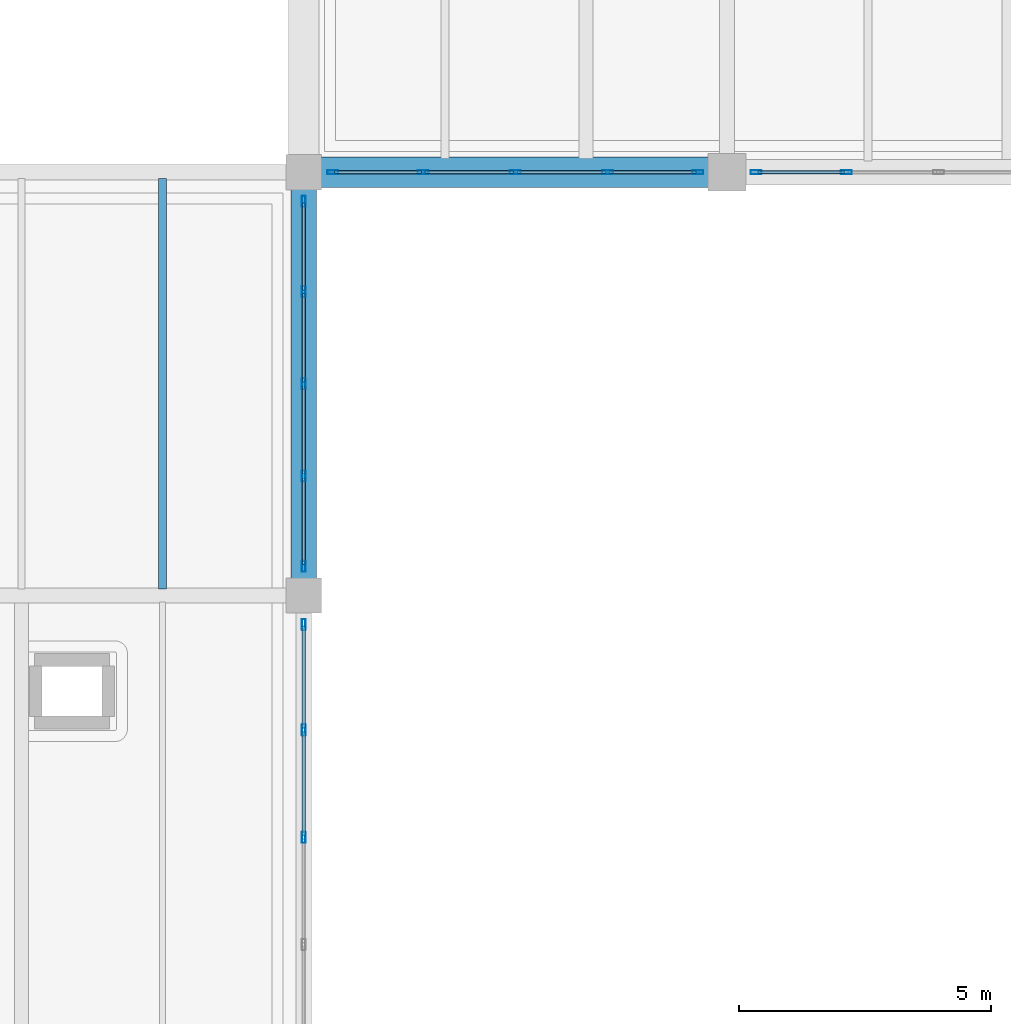
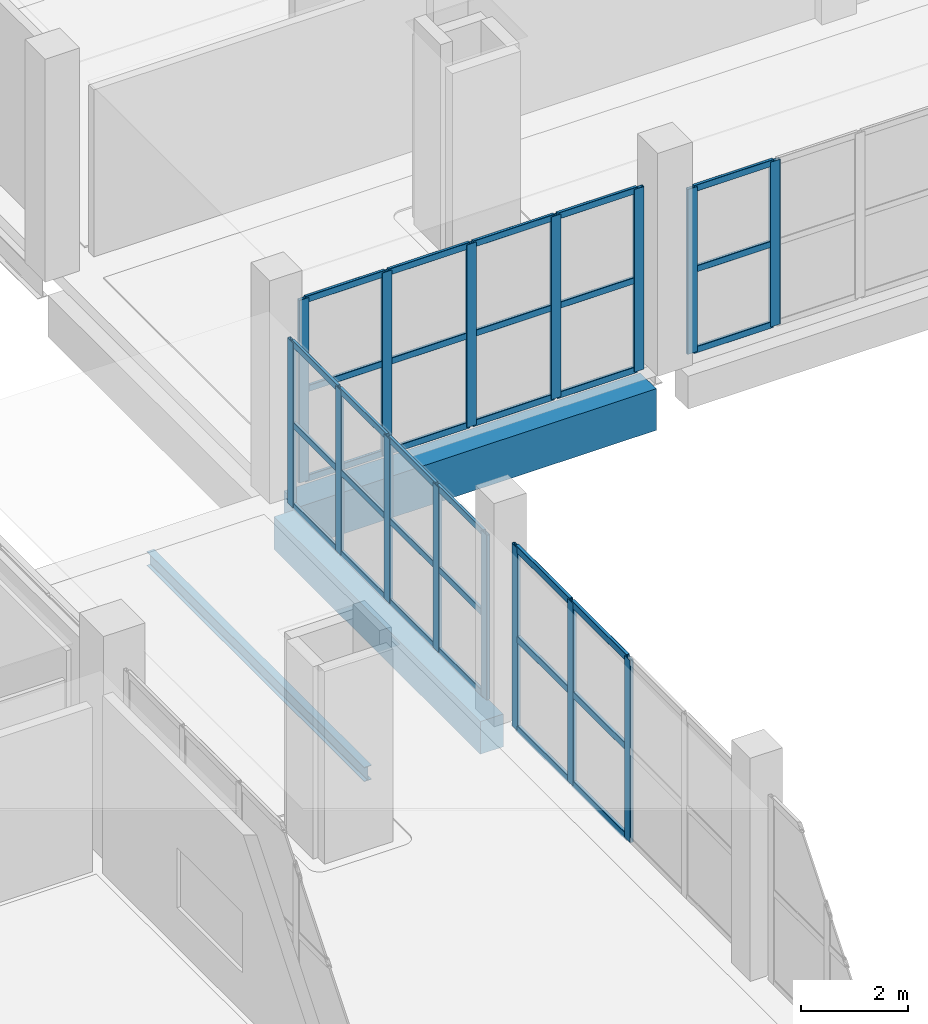
# One storey, part 19 of 66: 48 members, 3 beams, 4 elements without a shape of their own.
"""IFC4 building model written with IfcOpenShell, lengths in metres."""

from ifc_helpers import new_model, si_unit, direction, frame, origin, origin_2d, place, context, subcontext, project, spatial, rectangle, hollow_rectangle, i_section, extrude, material, layer, layer_set, material_profile, profile_set, type_object, element, aggregate, save


model = new_model("IFC4")

# Units and contexts
model_context = context("Model", 3, precision=1e-05, world=origin(), true_north=direction((0.0, 1.0)))
body_context = subcontext(model_context, "Body", "Model", "MODEL_VIEW")
ifc_project = project(units=[si_unit("LENGTHUNIT", "METRE"), si_unit("AREAUNIT", "SQUARE_METRE"), si_unit("VOLUMEUNIT", "CUBIC_METRE"), si_unit("PLANEANGLEUNIT", "RADIAN"), si_unit("MASSUNIT", "GRAM", prefix="KILO")], contexts=[model_context])

# Site, building, storey
site_placement = place(None, origin())
site = spatial("IfcSite", under=ifc_project, at=site_placement, CompositionType="ELEMENT")
building_placement = place(site_placement, origin())
building = spatial("IfcBuilding", under=site, at=building_placement, Name="Zulmaris Art Gallery", CompositionType="ELEMENT")
storey_placement = place(building_placement, frame((0.0, 0.0, 5.39990234375)))
storey = spatial("IfcBuildingStorey", under=building, at=storey_placement, Name="L01", CompositionType="ELEMENT", Elevation=5.39990234375)

# Beams
ifc_material_1 = material(Name="Concrete C40/50", Category="concrete")
ifc_material_profile_1 = material_profile(ifc_material_1, rectangle(XDim=0.5, YDim=0.75, at=origin_2d()), Name="RC 500x750")
ifc_profile_set_1 = profile_set([ifc_material_profile_1], Name="Concrete C40/50")
beam_type_1 = type_object("IfcBeamType", Name="BEAM-BM20", PredefinedType="BEAM", material=ifc_profile_set_1)
beam_1_placement = place(storey_placement, frame((91.199951171875, 50.735107421875, -0.704833984375), z_axis=(0.0, 1.0, 0.0), x_axis=(-1.0, 0.0, 0.0)))
element("IfcBeam", 1, at=beam_1_placement, inside=storey, type_object=beam_type_1, Name="L01 Y-girder (x=91.2, 50.4..58.8)", PredefinedType="BEAM", context=body_context, shape_type="SweptSolid", body=[
    extrude(rectangle(XDim=0.5, YDim=0.75, at=origin_2d()), origin(), (0.0, 0.0, 1.0), 7.72998046875),
])
ifc_material_profile_2 = material_profile(ifc_material_1, rectangle(XDim=0.60009765625, YDim=0.949951171875, at=origin_2d()), Name="RC 600x950")
ifc_profile_set_2 = profile_set([ifc_material_profile_2], Name="Concrete C40/50")
beam_type_2 = type_object("IfcBeamType", Name="BEAM-BM22", PredefinedType="BEAM", material=ifc_profile_set_2)
beam_2_placement = place(storey_placement, frame((91.534912109375, 58.800048828125, -0.804931640625), z_axis=(1.0, 0.0, 0.0), x_axis=(0.0, 1.0, 0.0)))
element("IfcBeam", 2, at=beam_2_placement, inside=storey, type_object=beam_type_2, Name="L01 X-girder (91.2..99.6, y=58.8)", PredefinedType="BEAM", context=body_context, shape_type="SweptSolid", body=[
    extrude(rectangle(XDim=0.60009765625, YDim=0.949951171875, at=origin_2d()), origin(), (0.0, 0.0, 1.0), 7.705078125),
])
ifc_material_2 = material(Name="Steel S355J2", Category="steel")
ifc_material_profile_3 = material_profile(ifc_material_2, i_section(OverallWidth=0.159912109375, OverallDepth=0.330078125, WebThickness=0.007568359375, FlangeThickness=0.011474609375, FilletRadius=0.01806640625, at=origin_2d()), Name="IPE 330")
ifc_profile_set_3 = profile_set([ifc_material_profile_3], Name="Steel S355J2")
beam_type_3 = type_object("IfcBeamType", Name="BEAM-JS03", PredefinedType="JOIST", material=ifc_profile_set_3)
beam_3_placement = place(storey_placement, frame((88.39990234375, 50.52490234375, -0.494873046875), z_axis=(0.0, 1.0, 0.0), x_axis=(-1.0, 0.0, 0.0)))
element("IfcBeam", 3, at=beam_3_placement, inside=storey, type_object=beam_type_3, Name="L01 secondary joist at x=88.4", PredefinedType="JOIST", context=body_context, shape_type="SweptSolid", body=[
    extrude(i_section(OverallWidth=0.159912109375, OverallDepth=0.330078125, WebThickness=0.007568359375, FlangeThickness=0.011474609375, FilletRadius=0.01806640625, at=origin_2d()), origin(), (0.0, 0.0, 1.0), 8.150146484375),
])

# Curtain wall, members
ifc_material_3 = material(Name="Cloister & Court Glazed Curtain Wall", Category="aluminium")
ifc_layer_1 = layer(ifc_material_3, 0.179931640625)
ifc_layer_set_1 = layer_set([ifc_layer_1], Name="Cloister & Court Glazed Curtain Wall")
curtain_wall_type_1 = type_object("IfcCurtainWallType", Name="CW-CW03", PredefinedType="NOTDEFINED", material=ifc_layer_set_1)
curtain_wall_1_placement = place(storey_placement, origin())
curtain_wall_1 = element("IfcCurtainWall", 4, at=curtain_wall_1_placement, inside=storey, type_object=curtain_wall_type_1, Name="L01 curtain wall 75", PredefinedType="NOTDEFINED")
ifc_material_4 = material(Name="Anodised Bronze Aluminium", Category="aluminium")
ifc_material_profile_4 = material_profile(ifc_material_4, hollow_rectangle(XDim=0.074951171875, YDim=0.219970703125, WallThickness=0.0048828125, InnerFilletRadius=0.007568359375, OuterFilletRadius=0.012451171875, at=origin_2d()), Name="ALU 75x220x5")
ifc_profile_set_4 = profile_set([ifc_material_profile_4], Name="Anodised Bronze Aluminium")
member_type_1 = type_object("IfcMemberType", Name="CWMUL-02", PredefinedType="MULLION", material=ifc_profile_set_4)
member_1_placement = place(storey_placement, frame((91.199951171875, 49.822509765625, 0.0), z_axis=(0.0, 0.0, 1.0), x_axis=(1.0, 0.0, 0.0)))
member_1 = element("IfcMember", 5, at=member_1_placement, type_object=member_type_1, Name="CW03 mullion 1", PredefinedType="MULLION", context=body_context, shape_type="SweptSolid", body=[
    extrude(hollow_rectangle(XDim=0.074951171875, YDim=0.219970703125, WallThickness=0.0048828125, InnerFilletRadius=0.007568359375, OuterFilletRadius=0.012451171875, at=origin_2d()), origin(), (0.0, 0.0, 1.0), 4.170166015625),
])
member_2_placement = place(storey_placement, frame((91.199951171875, 47.72998046875, 0.0), z_axis=(0.0, 0.0, 1.0), x_axis=(1.0, 0.0, 0.0)))
member_2 = element("IfcMember", 6, at=member_2_placement, type_object=member_type_1, Name="CW03 mullion 2", PredefinedType="MULLION", context=body_context, shape_type="SweptSolid", body=[
    extrude(hollow_rectangle(XDim=0.074951171875, YDim=0.219970703125, WallThickness=0.0048828125, InnerFilletRadius=0.007568359375, OuterFilletRadius=0.012451171875, at=origin_2d()), origin(), (0.0, 0.0, 1.0), 4.170166015625),
])
member_3_placement = place(storey_placement, frame((91.199951171875, 45.60009765625, 0.0), z_axis=(0.0, 0.0, 1.0), x_axis=(1.0, 0.0, 0.0)))
member_3 = element("IfcMember", 7, at=member_3_placement, type_object=member_type_1, Name="CW03 mullion 3", PredefinedType="MULLION", context=body_context, shape_type="SweptSolid", body=[
    extrude(hollow_rectangle(XDim=0.074951171875, YDim=0.219970703125, WallThickness=0.0048828125, InnerFilletRadius=0.007568359375, OuterFilletRadius=0.012451171875, at=origin_2d()), origin(), (0.0, 0.0, 1.0), 4.170166015625),
])

curtain_wall_2_placement = place(storey_placement, origin())
curtain_wall_2 = element("IfcCurtainWall", 8, at=curtain_wall_2_placement, inside=storey, type_object=curtain_wall_type_1, Name="L01 curtain wall 77", PredefinedType="NOTDEFINED")
member_4_placement = place(storey_placement, frame((91.199951171875, 58.222412109375, 0.0), z_axis=(0.0, 0.0, 1.0), x_axis=(1.0, 0.0, 0.0)))
member_4 = element("IfcMember", 9, at=member_4_placement, type_object=member_type_1, Name="CW03 mullion 1", PredefinedType="MULLION", context=body_context, shape_type="SweptSolid", body=[
    extrude(hollow_rectangle(XDim=0.074951171875, YDim=0.219970703125, WallThickness=0.0048828125, InnerFilletRadius=0.007568359375, OuterFilletRadius=0.012451171875, at=origin_2d()), origin(), (0.0, 0.0, 1.0), 3.77001953125),
])
member_5_placement = place(storey_placement, frame((91.199951171875, 56.429931640625, 0.0), z_axis=(0.0, 0.0, 1.0), x_axis=(1.0, 0.0, 0.0)))
member_5 = element("IfcMember", 10, at=member_5_placement, type_object=member_type_1, Name="CW03 mullion 2", PredefinedType="MULLION", context=body_context, shape_type="SweptSolid", body=[
    extrude(hollow_rectangle(XDim=0.074951171875, YDim=0.219970703125, WallThickness=0.0048828125, InnerFilletRadius=0.007568359375, OuterFilletRadius=0.012451171875, at=origin_2d()), origin(), (0.0, 0.0, 1.0), 3.77001953125),
])
member_6_placement = place(storey_placement, frame((91.199951171875, 54.60009765625, 0.0), z_axis=(0.0, 0.0, 1.0), x_axis=(1.0, 0.0, 0.0)))
member_6 = element("IfcMember", 11, at=member_6_placement, type_object=member_type_1, Name="CW03 mullion 3", PredefinedType="MULLION", context=body_context, shape_type="SweptSolid", body=[
    extrude(hollow_rectangle(XDim=0.074951171875, YDim=0.219970703125, WallThickness=0.0048828125, InnerFilletRadius=0.007568359375, OuterFilletRadius=0.012451171875, at=origin_2d()), origin(), (0.0, 0.0, 1.0), 3.77001953125),
])
member_7_placement = place(storey_placement, frame((91.199951171875, 52.77001953125, 0.0), z_axis=(0.0, 0.0, 1.0), x_axis=(1.0, 0.0, 0.0)))
member_7 = element("IfcMember", 12, at=member_7_placement, type_object=member_type_1, Name="CW03 mullion 4", PredefinedType="MULLION", context=body_context, shape_type="SweptSolid", body=[
    extrude(hollow_rectangle(XDim=0.074951171875, YDim=0.219970703125, WallThickness=0.0048828125, InnerFilletRadius=0.007568359375, OuterFilletRadius=0.012451171875, at=origin_2d()), origin(), (0.0, 0.0, 1.0), 3.77001953125),
])
member_8_placement = place(storey_placement, frame((91.199951171875, 50.9775390625, 0.0), z_axis=(0.0, 0.0, 1.0), x_axis=(1.0, 0.0, 0.0)))
member_8 = element("IfcMember", 13, at=member_8_placement, type_object=member_type_1, Name="CW03 mullion 5", PredefinedType="MULLION", context=body_context, shape_type="SweptSolid", body=[
    extrude(hollow_rectangle(XDim=0.074951171875, YDim=0.219970703125, WallThickness=0.0048828125, InnerFilletRadius=0.007568359375, OuterFilletRadius=0.012451171875, at=origin_2d()), origin(), (0.0, 0.0, 1.0), 3.77001953125),
])

ifc_material_5 = material(Name="Unitised Low-E Gallery Curtain Wall", Category="aluminium")
ifc_layer_2 = layer(ifc_material_5, 0.179931640625)
ifc_layer_set_2 = layer_set([ifc_layer_2], Name="Unitised Low-E Gallery Curtain Wall")
curtain_wall_type_2 = type_object("IfcCurtainWallType", Name="CW-CW01", PredefinedType="NOTDEFINED", material=ifc_layer_set_2)
curtain_wall_3_placement = place(storey_placement, origin())
curtain_wall_3 = element("IfcCurtainWall", 14, at=curtain_wall_3_placement, inside=storey, type_object=curtain_wall_type_2, Name="L01 curtain wall 94", PredefinedType="NOTDEFINED")
member_9_placement = place(storey_placement, frame((91.777587890625, 58.800048828125, 0.0), z_axis=(0.0, 0.0, 1.0), x_axis=(0.0, 1.0, 0.0)))
member_9 = element("IfcMember", 15, at=member_9_placement, type_object=member_type_1, Name="CW01 mullion 1", PredefinedType="MULLION", context=body_context, shape_type="SweptSolid", body=[
    extrude(hollow_rectangle(XDim=0.074951171875, YDim=0.219970703125, WallThickness=0.0048828125, InnerFilletRadius=0.007568359375, OuterFilletRadius=0.012451171875, at=origin_2d()), origin(), (0.0, 0.0, 1.0), 4.175048828125),
])
member_10_placement = place(storey_placement, frame((93.570068359375, 58.800048828125, 0.0), z_axis=(0.0, 0.0, 1.0), x_axis=(0.0, 1.0, 0.0)))
member_10 = element("IfcMember", 16, at=member_10_placement, type_object=member_type_1, Name="CW01 mullion 2", PredefinedType="MULLION", context=body_context, shape_type="SweptSolid", body=[
    extrude(hollow_rectangle(XDim=0.074951171875, YDim=0.219970703125, WallThickness=0.0048828125, InnerFilletRadius=0.007568359375, OuterFilletRadius=0.012451171875, at=origin_2d()), origin(), (0.0, 0.0, 1.0), 4.175048828125),
])
member_11_placement = place(storey_placement, frame((95.39990234375, 58.800048828125, 0.0), z_axis=(0.0, 0.0, 1.0), x_axis=(0.0, 1.0, 0.0)))
member_11 = element("IfcMember", 17, at=member_11_placement, type_object=member_type_1, Name="CW01 mullion 3", PredefinedType="MULLION", context=body_context, shape_type="SweptSolid", body=[
    extrude(hollow_rectangle(XDim=0.074951171875, YDim=0.219970703125, WallThickness=0.0048828125, InnerFilletRadius=0.007568359375, OuterFilletRadius=0.012451171875, at=origin_2d()), origin(), (0.0, 0.0, 1.0), 4.175048828125),
])
member_12_placement = place(storey_placement, frame((97.22998046875, 58.800048828125, 0.0), z_axis=(0.0, 0.0, 1.0), x_axis=(0.0, 1.0, 0.0)))
member_12 = element("IfcMember", 18, at=member_12_placement, type_object=member_type_1, Name="CW01 mullion 4", PredefinedType="MULLION", context=body_context, shape_type="SweptSolid", body=[
    extrude(hollow_rectangle(XDim=0.074951171875, YDim=0.219970703125, WallThickness=0.0048828125, InnerFilletRadius=0.007568359375, OuterFilletRadius=0.012451171875, at=origin_2d()), origin(), (0.0, 0.0, 1.0), 4.175048828125),
])
member_13_placement = place(storey_placement, frame((99.0224609375, 58.800048828125, 0.0), z_axis=(0.0, 0.0, 1.0), x_axis=(0.0, 1.0, 0.0)))
member_13 = element("IfcMember", 19, at=member_13_placement, type_object=member_type_1, Name="CW01 mullion 5", PredefinedType="MULLION", context=body_context, shape_type="SweptSolid", body=[
    extrude(hollow_rectangle(XDim=0.074951171875, YDim=0.219970703125, WallThickness=0.0048828125, InnerFilletRadius=0.007568359375, OuterFilletRadius=0.012451171875, at=origin_2d()), origin(), (0.0, 0.0, 1.0), 4.175048828125),
])

curtain_wall_4_placement = place(storey_placement, origin())
curtain_wall_4 = element("IfcCurtainWall", 20, at=curtain_wall_4_placement, inside=storey, type_object=curtain_wall_type_2, Name="L01 curtain wall 95", PredefinedType="NOTDEFINED")
member_14_placement = place(storey_placement, frame((100.177490234375, 58.800048828125, 0.0), z_axis=(0.0, 0.0, 1.0), x_axis=(0.0, 1.0, 0.0)))
member_14 = element("IfcMember", 21, at=member_14_placement, type_object=member_type_1, Name="CW01 mullion 1", PredefinedType="MULLION", context=body_context, shape_type="SweptSolid", body=[
    extrude(hollow_rectangle(XDim=0.074951171875, YDim=0.219970703125, WallThickness=0.0048828125, InnerFilletRadius=0.007568359375, OuterFilletRadius=0.012451171875, at=origin_2d()), origin(), (0.0, 0.0, 1.0), 3.77001953125),
])
member_15_placement = place(storey_placement, frame((101.969970703125, 58.800048828125, 0.0), z_axis=(0.0, 0.0, 1.0), x_axis=(0.0, 1.0, 0.0)))
member_15 = element("IfcMember", 22, at=member_15_placement, type_object=member_type_1, Name="CW01 mullion 2", PredefinedType="MULLION", context=body_context, shape_type="SweptSolid", body=[
    extrude(hollow_rectangle(XDim=0.074951171875, YDim=0.219970703125, WallThickness=0.0048828125, InnerFilletRadius=0.007568359375, OuterFilletRadius=0.012451171875, at=origin_2d()), origin(), (0.0, 0.0, 1.0), 3.77001953125),
])

# Member
ifc_material_profile_5 = material_profile(ifc_material_4, hollow_rectangle(XDim=0.06494140625, YDim=0.14990234375, WallThickness=0.00390625, InnerFilletRadius=0.006103515625, OuterFilletRadius=0.010009765625, at=origin_2d()), Name="ALU 65x150x4")
ifc_profile_set_5 = profile_set([ifc_material_profile_5], Name="Anodised Bronze Aluminium")
member_type_2 = type_object("IfcMemberType", Name="CWTRN-01", PredefinedType="USERDEFINED", material=ifc_profile_set_5)
member_16_placement = place(storey_placement, frame((91.199951171875, 58.18505859375, 0.03759765625), z_axis=(0.0, -1.0, 0.0), x_axis=(1.0, 0.0, 0.0)))
member_16 = element("IfcMember", 23, at=member_16_placement, type_object=member_type_2, Name="CW03 transom 1.1", ObjectType="TRANSOM", PredefinedType="USERDEFINED", context=body_context, shape_type="SweptSolid", body=[
    extrude(hollow_rectangle(XDim=0.06494140625, YDim=0.14990234375, WallThickness=0.00390625, InnerFilletRadius=0.006103515625, OuterFilletRadius=0.010009765625, at=origin_2d()), origin(), (0.0, 0.0, 1.0), 1.717529296875),
])

member_17_placement = place(storey_placement, frame((91.199951171875, 58.18505859375, 1.885009765625), z_axis=(0.0, -1.0, 0.0), x_axis=(1.0, 0.0, 0.0)))
member_17 = element("IfcMember", 24, at=member_17_placement, type_object=member_type_2, Name="CW03 transom 1.2", ObjectType="TRANSOM", PredefinedType="USERDEFINED", context=body_context, shape_type="SweptSolid", body=[
    extrude(hollow_rectangle(XDim=0.06494140625, YDim=0.14990234375, WallThickness=0.00390625, InnerFilletRadius=0.006103515625, OuterFilletRadius=0.010009765625, at=origin_2d()), origin(), (0.0, 0.0, 1.0), 1.717529296875),
])

member_18_placement = place(storey_placement, frame((91.199951171875, 58.18505859375, 3.732666015625), z_axis=(0.0, -1.0, 0.0), x_axis=(1.0, 0.0, 0.0)))
member_18 = element("IfcMember", 25, at=member_18_placement, type_object=member_type_2, Name="CW03 transom 1.3", ObjectType="TRANSOM", PredefinedType="USERDEFINED", context=body_context, shape_type="SweptSolid", body=[
    extrude(hollow_rectangle(XDim=0.06494140625, YDim=0.14990234375, WallThickness=0.00390625, InnerFilletRadius=0.006103515625, OuterFilletRadius=0.010009765625, at=origin_2d()), origin(), (0.0, 0.0, 1.0), 1.717529296875),
])

member_19_placement = place(storey_placement, frame((91.199951171875, 56.392578125, 0.03759765625), z_axis=(0.0, -1.0, 0.0), x_axis=(1.0, 0.0, 0.0)))
member_19 = element("IfcMember", 26, at=member_19_placement, type_object=member_type_2, Name="CW03 transom 2.1", ObjectType="TRANSOM", PredefinedType="USERDEFINED", context=body_context, shape_type="SweptSolid", body=[
    extrude(hollow_rectangle(XDim=0.06494140625, YDim=0.14990234375, WallThickness=0.00390625, InnerFilletRadius=0.006103515625, OuterFilletRadius=0.010009765625, at=origin_2d()), origin(), (0.0, 0.0, 1.0), 1.755126953125),
])

member_20_placement = place(storey_placement, frame((91.199951171875, 56.392578125, 1.885009765625), z_axis=(0.0, -1.0, 0.0), x_axis=(1.0, 0.0, 0.0)))
member_20 = element("IfcMember", 27, at=member_20_placement, type_object=member_type_2, Name="CW03 transom 2.2", ObjectType="TRANSOM", PredefinedType="USERDEFINED", context=body_context, shape_type="SweptSolid", body=[
    extrude(hollow_rectangle(XDim=0.06494140625, YDim=0.14990234375, WallThickness=0.00390625, InnerFilletRadius=0.006103515625, OuterFilletRadius=0.010009765625, at=origin_2d()), origin(), (0.0, 0.0, 1.0), 1.755126953125),
])

member_21_placement = place(storey_placement, frame((91.199951171875, 56.392578125, 3.732666015625), z_axis=(0.0, -1.0, 0.0), x_axis=(1.0, 0.0, 0.0)))
member_21 = element("IfcMember", 28, at=member_21_placement, type_object=member_type_2, Name="CW03 transom 2.3", ObjectType="TRANSOM", PredefinedType="USERDEFINED", context=body_context, shape_type="SweptSolid", body=[
    extrude(hollow_rectangle(XDim=0.06494140625, YDim=0.14990234375, WallThickness=0.00390625, InnerFilletRadius=0.006103515625, OuterFilletRadius=0.010009765625, at=origin_2d()), origin(), (0.0, 0.0, 1.0), 1.755126953125),
])

member_22_placement = place(storey_placement, frame((91.199951171875, 54.5625, 0.03759765625), z_axis=(0.0, -1.0, 0.0), x_axis=(1.0, 0.0, 0.0)))
member_22 = element("IfcMember", 29, at=member_22_placement, type_object=member_type_2, Name="CW03 transom 3.1", ObjectType="TRANSOM", PredefinedType="USERDEFINED", context=body_context, shape_type="SweptSolid", body=[
    extrude(hollow_rectangle(XDim=0.06494140625, YDim=0.14990234375, WallThickness=0.00390625, InnerFilletRadius=0.006103515625, OuterFilletRadius=0.010009765625, at=origin_2d()), origin(), (0.0, 0.0, 1.0), 1.7548828125),
])

member_23_placement = place(storey_placement, frame((91.199951171875, 54.5625, 1.885009765625), z_axis=(0.0, -1.0, 0.0), x_axis=(1.0, 0.0, 0.0)))
member_23 = element("IfcMember", 30, at=member_23_placement, type_object=member_type_2, Name="CW03 transom 3.2", ObjectType="TRANSOM", PredefinedType="USERDEFINED", context=body_context, shape_type="SweptSolid", body=[
    extrude(hollow_rectangle(XDim=0.06494140625, YDim=0.14990234375, WallThickness=0.00390625, InnerFilletRadius=0.006103515625, OuterFilletRadius=0.010009765625, at=origin_2d()), origin(), (0.0, 0.0, 1.0), 1.7548828125),
])

member_24_placement = place(storey_placement, frame((91.199951171875, 54.5625, 3.732666015625), z_axis=(0.0, -1.0, 0.0), x_axis=(1.0, 0.0, 0.0)))
member_24 = element("IfcMember", 31, at=member_24_placement, type_object=member_type_2, Name="CW03 transom 3.3", ObjectType="TRANSOM", PredefinedType="USERDEFINED", context=body_context, shape_type="SweptSolid", body=[
    extrude(hollow_rectangle(XDim=0.06494140625, YDim=0.14990234375, WallThickness=0.00390625, InnerFilletRadius=0.006103515625, OuterFilletRadius=0.010009765625, at=origin_2d()), origin(), (0.0, 0.0, 1.0), 1.7548828125),
])

member_25_placement = place(storey_placement, frame((91.199951171875, 52.732421875, 0.03759765625), z_axis=(0.0, -1.0, 0.0), x_axis=(1.0, 0.0, 0.0)))
member_25 = element("IfcMember", 32, at=member_25_placement, type_object=member_type_2, Name="CW03 transom 4.1", ObjectType="TRANSOM", PredefinedType="USERDEFINED", context=body_context, shape_type="SweptSolid", body=[
    extrude(hollow_rectangle(XDim=0.06494140625, YDim=0.14990234375, WallThickness=0.00390625, InnerFilletRadius=0.006103515625, OuterFilletRadius=0.010009765625, at=origin_2d()), origin(), (0.0, 0.0, 1.0), 1.717529296875),
])

member_26_placement = place(storey_placement, frame((91.199951171875, 52.732421875, 1.885009765625), z_axis=(0.0, -1.0, 0.0), x_axis=(1.0, 0.0, 0.0)))
member_26 = element("IfcMember", 33, at=member_26_placement, type_object=member_type_2, Name="CW03 transom 4.2", ObjectType="TRANSOM", PredefinedType="USERDEFINED", context=body_context, shape_type="SweptSolid", body=[
    extrude(hollow_rectangle(XDim=0.06494140625, YDim=0.14990234375, WallThickness=0.00390625, InnerFilletRadius=0.006103515625, OuterFilletRadius=0.010009765625, at=origin_2d()), origin(), (0.0, 0.0, 1.0), 1.717529296875),
])

member_27_placement = place(storey_placement, frame((91.199951171875, 52.732421875, 3.732666015625), z_axis=(0.0, -1.0, 0.0), x_axis=(1.0, 0.0, 0.0)))
member_27 = element("IfcMember", 34, at=member_27_placement, type_object=member_type_2, Name="CW03 transom 4.3", ObjectType="TRANSOM", PredefinedType="USERDEFINED", context=body_context, shape_type="SweptSolid", body=[
    extrude(hollow_rectangle(XDim=0.06494140625, YDim=0.14990234375, WallThickness=0.00390625, InnerFilletRadius=0.006103515625, OuterFilletRadius=0.010009765625, at=origin_2d()), origin(), (0.0, 0.0, 1.0), 1.717529296875),
])

aggregate(curtain_wall_2, [member_4, member_5, member_6, member_7, member_8, member_16, member_17, member_18, member_19, member_20, member_21, member_22, member_23, member_24, member_25, member_26, member_27])

member_28_placement = place(storey_placement, frame((91.81494140625, 58.800048828125, 0.03759765625), z_axis=(1.0, 0.0, 0.0), x_axis=(0.0, 1.0, 0.0)))
member_28 = element("IfcMember", 35, at=member_28_placement, type_object=member_type_2, Name="CW01 transom 1.1", ObjectType="TRANSOM", PredefinedType="USERDEFINED", context=body_context, shape_type="SweptSolid", body=[
    extrude(hollow_rectangle(XDim=0.06494140625, YDim=0.14990234375, WallThickness=0.00390625, InnerFilletRadius=0.006103515625, OuterFilletRadius=0.010009765625, at=origin_2d()), origin(), (0.0, 0.0, 1.0), 1.717529296875),
])

member_29_placement = place(storey_placement, frame((91.81494140625, 58.800048828125, 2.087646484375), z_axis=(1.0, 0.0, 0.0), x_axis=(0.0, 1.0, 0.0)))
member_29 = element("IfcMember", 36, at=member_29_placement, type_object=member_type_2, Name="CW01 transom 1.2", ObjectType="TRANSOM", PredefinedType="USERDEFINED", context=body_context, shape_type="SweptSolid", body=[
    extrude(hollow_rectangle(XDim=0.06494140625, YDim=0.14990234375, WallThickness=0.00390625, InnerFilletRadius=0.006103515625, OuterFilletRadius=0.010009765625, at=origin_2d()), origin(), (0.0, 0.0, 1.0), 1.717529296875),
])

member_30_placement = place(storey_placement, frame((91.81494140625, 58.800048828125, 4.1376953125), z_axis=(1.0, 0.0, 0.0), x_axis=(0.0, 1.0, 0.0)))
member_30 = element("IfcMember", 37, at=member_30_placement, type_object=member_type_2, Name="CW01 transom 1.3", ObjectType="TRANSOM", PredefinedType="USERDEFINED", context=body_context, shape_type="SweptSolid", body=[
    extrude(hollow_rectangle(XDim=0.06494140625, YDim=0.14990234375, WallThickness=0.00390625, InnerFilletRadius=0.006103515625, OuterFilletRadius=0.010009765625, at=origin_2d()), origin(), (0.0, 0.0, 1.0), 1.717529296875),
])

member_31_placement = place(storey_placement, frame((93.607421875, 58.800048828125, 0.03759765625), z_axis=(1.0, 0.0, 0.0), x_axis=(0.0, 1.0, 0.0)))
member_31 = element("IfcMember", 38, at=member_31_placement, type_object=member_type_2, Name="CW01 transom 2.1", ObjectType="TRANSOM", PredefinedType="USERDEFINED", context=body_context, shape_type="SweptSolid", body=[
    extrude(hollow_rectangle(XDim=0.06494140625, YDim=0.14990234375, WallThickness=0.00390625, InnerFilletRadius=0.006103515625, OuterFilletRadius=0.010009765625, at=origin_2d()), origin(), (0.0, 0.0, 1.0), 1.755126953125),
])

member_32_placement = place(storey_placement, frame((93.607421875, 58.800048828125, 2.087646484375), z_axis=(1.0, 0.0, 0.0), x_axis=(0.0, 1.0, 0.0)))
member_32 = element("IfcMember", 39, at=member_32_placement, type_object=member_type_2, Name="CW01 transom 2.2", ObjectType="TRANSOM", PredefinedType="USERDEFINED", context=body_context, shape_type="SweptSolid", body=[
    extrude(hollow_rectangle(XDim=0.06494140625, YDim=0.14990234375, WallThickness=0.00390625, InnerFilletRadius=0.006103515625, OuterFilletRadius=0.010009765625, at=origin_2d()), origin(), (0.0, 0.0, 1.0), 1.755126953125),
])

member_33_placement = place(storey_placement, frame((93.607421875, 58.800048828125, 4.1376953125), z_axis=(1.0, 0.0, 0.0), x_axis=(0.0, 1.0, 0.0)))
member_33 = element("IfcMember", 40, at=member_33_placement, type_object=member_type_2, Name="CW01 transom 2.3", ObjectType="TRANSOM", PredefinedType="USERDEFINED", context=body_context, shape_type="SweptSolid", body=[
    extrude(hollow_rectangle(XDim=0.06494140625, YDim=0.14990234375, WallThickness=0.00390625, InnerFilletRadius=0.006103515625, OuterFilletRadius=0.010009765625, at=origin_2d()), origin(), (0.0, 0.0, 1.0), 1.755126953125),
])

member_34_placement = place(storey_placement, frame((95.4375, 58.800048828125, 0.03759765625), z_axis=(1.0, 0.0, 0.0), x_axis=(0.0, 1.0, 0.0)))
member_34 = element("IfcMember", 41, at=member_34_placement, type_object=member_type_2, Name="CW01 transom 3.1", ObjectType="TRANSOM", PredefinedType="USERDEFINED", context=body_context, shape_type="SweptSolid", body=[
    extrude(hollow_rectangle(XDim=0.06494140625, YDim=0.14990234375, WallThickness=0.00390625, InnerFilletRadius=0.006103515625, OuterFilletRadius=0.010009765625, at=origin_2d()), origin(), (0.0, 0.0, 1.0), 1.7548828125),
])

member_35_placement = place(storey_placement, frame((95.4375, 58.800048828125, 2.087646484375), z_axis=(1.0, 0.0, 0.0), x_axis=(0.0, 1.0, 0.0)))
member_35 = element("IfcMember", 42, at=member_35_placement, type_object=member_type_2, Name="CW01 transom 3.2", ObjectType="TRANSOM", PredefinedType="USERDEFINED", context=body_context, shape_type="SweptSolid", body=[
    extrude(hollow_rectangle(XDim=0.06494140625, YDim=0.14990234375, WallThickness=0.00390625, InnerFilletRadius=0.006103515625, OuterFilletRadius=0.010009765625, at=origin_2d()), origin(), (0.0, 0.0, 1.0), 1.7548828125),
])

member_36_placement = place(storey_placement, frame((95.4375, 58.800048828125, 4.1376953125), z_axis=(1.0, 0.0, 0.0), x_axis=(0.0, 1.0, 0.0)))
member_36 = element("IfcMember", 43, at=member_36_placement, type_object=member_type_2, Name="CW01 transom 3.3", ObjectType="TRANSOM", PredefinedType="USERDEFINED", context=body_context, shape_type="SweptSolid", body=[
    extrude(hollow_rectangle(XDim=0.06494140625, YDim=0.14990234375, WallThickness=0.00390625, InnerFilletRadius=0.006103515625, OuterFilletRadius=0.010009765625, at=origin_2d()), origin(), (0.0, 0.0, 1.0), 1.7548828125),
])

member_37_placement = place(storey_placement, frame((97.267578125, 58.800048828125, 0.03759765625), z_axis=(1.0, 0.0, 0.0), x_axis=(0.0, 1.0, 0.0)))
member_37 = element("IfcMember", 44, at=member_37_placement, type_object=member_type_2, Name="CW01 transom 4.1", ObjectType="TRANSOM", PredefinedType="USERDEFINED", context=body_context, shape_type="SweptSolid", body=[
    extrude(hollow_rectangle(XDim=0.06494140625, YDim=0.14990234375, WallThickness=0.00390625, InnerFilletRadius=0.006103515625, OuterFilletRadius=0.010009765625, at=origin_2d()), origin(), (0.0, 0.0, 1.0), 1.717529296875),
])

member_38_placement = place(storey_placement, frame((97.267578125, 58.800048828125, 2.087646484375), z_axis=(1.0, 0.0, 0.0), x_axis=(0.0, 1.0, 0.0)))
member_38 = element("IfcMember", 45, at=member_38_placement, type_object=member_type_2, Name="CW01 transom 4.2", ObjectType="TRANSOM", PredefinedType="USERDEFINED", context=body_context, shape_type="SweptSolid", body=[
    extrude(hollow_rectangle(XDim=0.06494140625, YDim=0.14990234375, WallThickness=0.00390625, InnerFilletRadius=0.006103515625, OuterFilletRadius=0.010009765625, at=origin_2d()), origin(), (0.0, 0.0, 1.0), 1.717529296875),
])

member_39_placement = place(storey_placement, frame((97.267578125, 58.800048828125, 4.1376953125), z_axis=(1.0, 0.0, 0.0), x_axis=(0.0, 1.0, 0.0)))
member_39 = element("IfcMember", 46, at=member_39_placement, type_object=member_type_2, Name="CW01 transom 4.3", ObjectType="TRANSOM", PredefinedType="USERDEFINED", context=body_context, shape_type="SweptSolid", body=[
    extrude(hollow_rectangle(XDim=0.06494140625, YDim=0.14990234375, WallThickness=0.00390625, InnerFilletRadius=0.006103515625, OuterFilletRadius=0.010009765625, at=origin_2d()), origin(), (0.0, 0.0, 1.0), 1.717529296875),
])

aggregate(curtain_wall_3, [member_9, member_10, member_11, member_12, member_13, member_28, member_29, member_30, member_31, member_32, member_33, member_34, member_35, member_36, member_37, member_38, member_39])

member_40_placement = place(storey_placement, frame((100.215087890625, 58.800048828125, 0.03759765625), z_axis=(1.0, 0.0, 0.0), x_axis=(0.0, 1.0, 0.0)))
member_40 = element("IfcMember", 47, at=member_40_placement, type_object=member_type_2, Name="CW01 transom 1.1", ObjectType="TRANSOM", PredefinedType="USERDEFINED", context=body_context, shape_type="SweptSolid", body=[
    extrude(hollow_rectangle(XDim=0.06494140625, YDim=0.14990234375, WallThickness=0.00390625, InnerFilletRadius=0.006103515625, OuterFilletRadius=0.010009765625, at=origin_2d()), origin(), (0.0, 0.0, 1.0), 1.717529296875),
])

member_41_placement = place(storey_placement, frame((100.215087890625, 58.800048828125, 1.885009765625), z_axis=(1.0, 0.0, 0.0), x_axis=(0.0, 1.0, 0.0)))
member_41 = element("IfcMember", 48, at=member_41_placement, type_object=member_type_2, Name="CW01 transom 1.2", ObjectType="TRANSOM", PredefinedType="USERDEFINED", context=body_context, shape_type="SweptSolid", body=[
    extrude(hollow_rectangle(XDim=0.06494140625, YDim=0.14990234375, WallThickness=0.00390625, InnerFilletRadius=0.006103515625, OuterFilletRadius=0.010009765625, at=origin_2d()), origin(), (0.0, 0.0, 1.0), 1.717529296875),
])

member_42_placement = place(storey_placement, frame((100.215087890625, 58.800048828125, 3.732666015625), z_axis=(1.0, 0.0, 0.0), x_axis=(0.0, 1.0, 0.0)))
member_42 = element("IfcMember", 49, at=member_42_placement, type_object=member_type_2, Name="CW01 transom 1.3", ObjectType="TRANSOM", PredefinedType="USERDEFINED", context=body_context, shape_type="SweptSolid", body=[
    extrude(hollow_rectangle(XDim=0.06494140625, YDim=0.14990234375, WallThickness=0.00390625, InnerFilletRadius=0.006103515625, OuterFilletRadius=0.010009765625, at=origin_2d()), origin(), (0.0, 0.0, 1.0), 1.717529296875),
])

aggregate(curtain_wall_4, [member_14, member_15, member_40, member_41, member_42])

ifc_material_profile_6 = material_profile(ifc_material_4, hollow_rectangle(XDim=0.074951171875, YDim=0.159912109375, WallThickness=0.00390625, InnerFilletRadius=0.006103515625, OuterFilletRadius=0.010009765625, at=origin_2d()), Name="ALU 75x160x4")
ifc_profile_set_6 = profile_set([ifc_material_profile_6], Name="Anodised Bronze Aluminium")
member_type_3 = type_object("IfcMemberType", Name="CWTRN-02", PredefinedType="USERDEFINED", material=ifc_profile_set_6)
member_43_placement = place(storey_placement, frame((91.199951171875, 49.784912109375, 0.03759765625), z_axis=(0.0, -1.0, 0.0), x_axis=(1.0, 0.0, 0.0)))
member_43 = element("IfcMember", 50, at=member_43_placement, type_object=member_type_3, Name="CW03 transom 1.1", ObjectType="TRANSOM", PredefinedType="USERDEFINED", context=body_context, shape_type="SweptSolid", body=[
    extrude(hollow_rectangle(XDim=0.074951171875, YDim=0.159912109375, WallThickness=0.00390625, InnerFilletRadius=0.006103515625, OuterFilletRadius=0.010009765625, at=origin_2d()), origin(), (0.0, 0.0, 1.0), 2.017333984375),
])

member_44_placement = place(storey_placement, frame((91.199951171875, 49.784912109375, 2.085205078125), z_axis=(0.0, -1.0, 0.0), x_axis=(1.0, 0.0, 0.0)))
member_44 = element("IfcMember", 51, at=member_44_placement, type_object=member_type_3, Name="CW03 transom 1.2", ObjectType="TRANSOM", PredefinedType="USERDEFINED", context=body_context, shape_type="SweptSolid", body=[
    extrude(hollow_rectangle(XDim=0.074951171875, YDim=0.159912109375, WallThickness=0.00390625, InnerFilletRadius=0.006103515625, OuterFilletRadius=0.010009765625, at=origin_2d()), origin(), (0.0, 0.0, 1.0), 2.017333984375),
])

member_45_placement = place(storey_placement, frame((91.199951171875, 49.784912109375, 4.132568359375), z_axis=(0.0, -1.0, 0.0), x_axis=(1.0, 0.0, 0.0)))
member_45 = element("IfcMember", 52, at=member_45_placement, type_object=member_type_3, Name="CW03 transom 1.3", ObjectType="TRANSOM", PredefinedType="USERDEFINED", context=body_context, shape_type="SweptSolid", body=[
    extrude(hollow_rectangle(XDim=0.074951171875, YDim=0.159912109375, WallThickness=0.00390625, InnerFilletRadius=0.006103515625, OuterFilletRadius=0.010009765625, at=origin_2d()), origin(), (0.0, 0.0, 1.0), 2.017333984375),
])

member_46_placement = place(storey_placement, frame((91.199951171875, 47.6923828125, 0.03759765625), z_axis=(0.0, -1.0, 0.0), x_axis=(1.0, 0.0, 0.0)))
member_46 = element("IfcMember", 53, at=member_46_placement, type_object=member_type_3, Name="CW03 transom 2.1", ObjectType="TRANSOM", PredefinedType="USERDEFINED", context=body_context, shape_type="SweptSolid", body=[
    extrude(hollow_rectangle(XDim=0.074951171875, YDim=0.159912109375, WallThickness=0.00390625, InnerFilletRadius=0.006103515625, OuterFilletRadius=0.010009765625, at=origin_2d()), origin(), (0.0, 0.0, 1.0), 2.054931640625),
])

member_47_placement = place(storey_placement, frame((91.199951171875, 47.6923828125, 2.085205078125), z_axis=(0.0, -1.0, 0.0), x_axis=(1.0, 0.0, 0.0)))
member_47 = element("IfcMember", 54, at=member_47_placement, type_object=member_type_3, Name="CW03 transom 2.2", ObjectType="TRANSOM", PredefinedType="USERDEFINED", context=body_context, shape_type="SweptSolid", body=[
    extrude(hollow_rectangle(XDim=0.074951171875, YDim=0.159912109375, WallThickness=0.00390625, InnerFilletRadius=0.006103515625, OuterFilletRadius=0.010009765625, at=origin_2d()), origin(), (0.0, 0.0, 1.0), 2.054931640625),
])

member_48_placement = place(storey_placement, frame((91.199951171875, 47.6923828125, 4.132568359375), z_axis=(0.0, -1.0, 0.0), x_axis=(1.0, 0.0, 0.0)))
member_48 = element("IfcMember", 55, at=member_48_placement, type_object=member_type_3, Name="CW03 transom 2.3", ObjectType="TRANSOM", PredefinedType="USERDEFINED", context=body_context, shape_type="SweptSolid", body=[
    extrude(hollow_rectangle(XDim=0.074951171875, YDim=0.159912109375, WallThickness=0.00390625, InnerFilletRadius=0.006103515625, OuterFilletRadius=0.010009765625, at=origin_2d()), origin(), (0.0, 0.0, 1.0), 2.054931640625),
])

aggregate(curtain_wall_1, [member_1, member_2, member_3, member_43, member_44, member_45, member_46, member_47, member_48])

save(model, "model.ifc")
